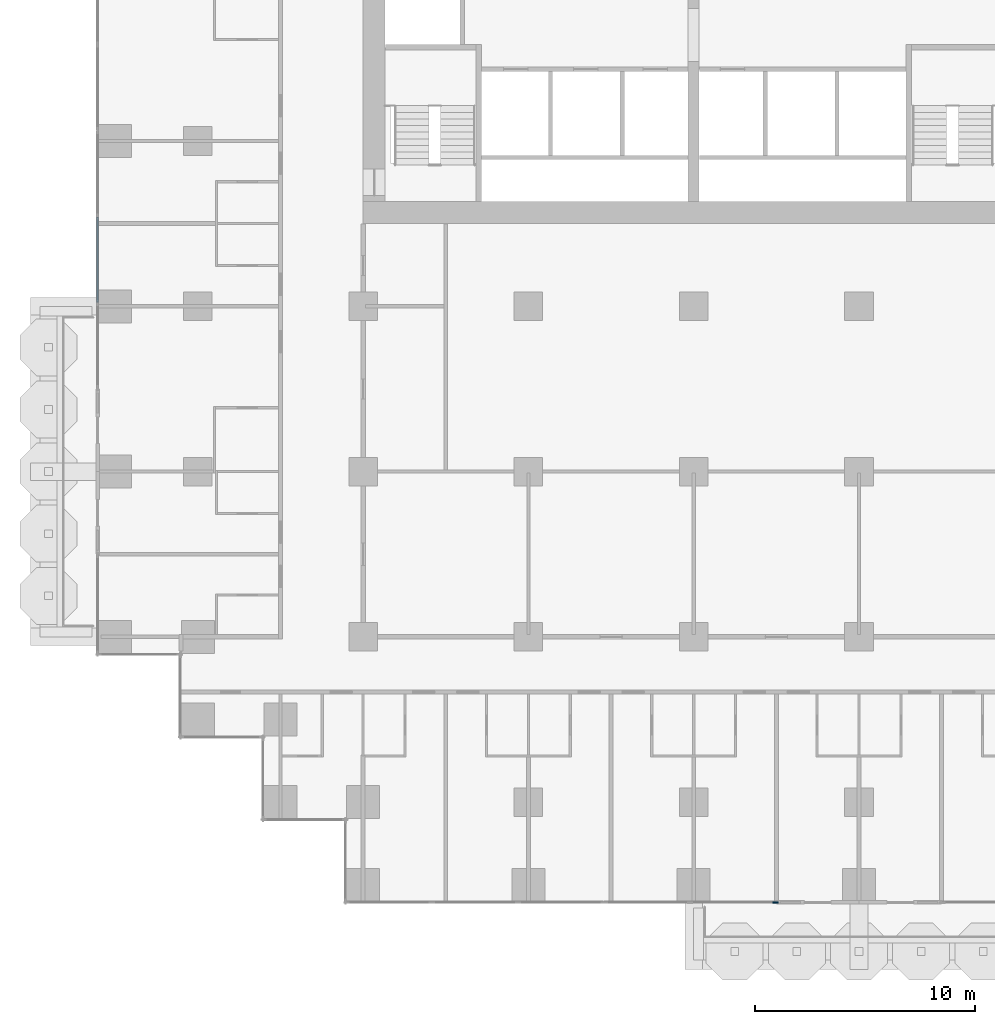
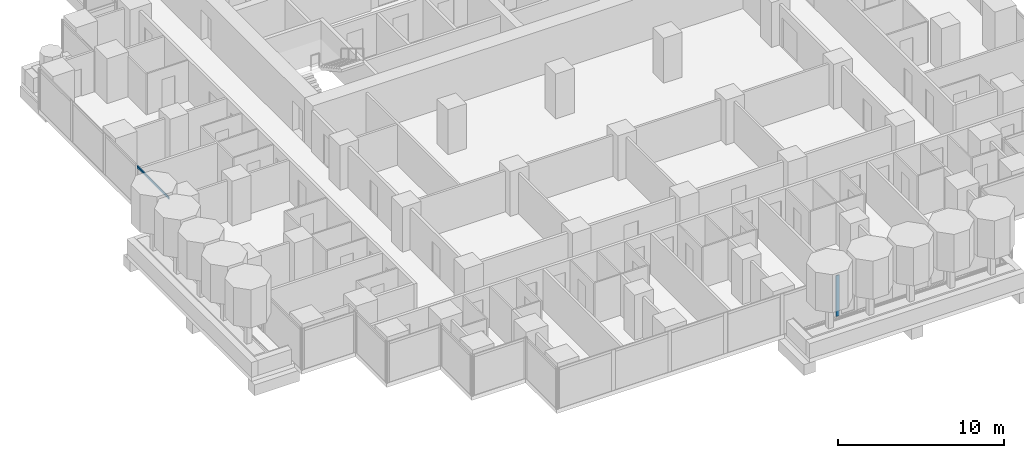
# One storey, part 3 of 19: 2 members, 2 elements without a shape of their own.
"""IFC4 building model written with IfcOpenShell, lengths in metres."""

from ifc_helpers import new_model, si_unit, direction, frame, origin, origin_2d, place, context, subcontext, project, spatial, rectangle, extrude, material, material_profile, profile_set, type_object, element, aggregate, save


model = new_model("IFC4")

# Units and contexts
model_context = context("Model", 3, precision=1e-05, world=origin(), true_north=direction((0.0, 1.0)))
body_context = subcontext(model_context, "Body", "Model", "MODEL_VIEW")
ifc_project = project(units=[si_unit("LENGTHUNIT", "METRE"), si_unit("AREAUNIT", "SQUARE_METRE"), si_unit("VOLUMEUNIT", "CUBIC_METRE"), si_unit("PLANEANGLEUNIT", "RADIAN"), si_unit("MASSUNIT", "GRAM", prefix="KILO")], contexts=[model_context])

# Site, building, storey
site_placement = place(None, origin())
site = spatial("IfcSite", under=ifc_project, at=site_placement, CompositionType="ELEMENT")
building_placement = place(site_placement, origin())
building = spatial("IfcBuilding", under=site, at=building_placement, Name="Pilkhan Gate Tower", CompositionType="ELEMENT")
storey_placement = place(building_placement, frame((0.0, 0.0, 65.89990234375)))
storey = spatial("IfcBuildingStorey", under=building, at=storey_placement, Name="L14", CompositionType="ELEMENT", Elevation=65.89990234375)

# Curtain wall, member
ifc_material_1 = material(Name="Pale anodised aluminium, clear low-iron double glazing", Category="aluminium")
curtain_wall_type = type_object("IfcCurtainWallType", Name="Hotel unitised curtain wall CW-H", PredefinedType="USERDEFINED", material=ifc_material_1)
curtain_wall_1_placement = place(storey_placement, origin())
curtain_wall_1 = element("IfcCurtainWall", 1, at=curtain_wall_1_placement, inside=storey, type_object=curtain_wall_type, Name="Hotel unitised curtain wall CW-H L14 S", ObjectType="UNITISED CURTAIN WALL", PredefinedType="USERDEFINED")
ifc_material_2 = material(Name="Pale anodised aluminium", Category="aluminium")
ifc_material_profile_1 = material_profile(ifc_material_2, rectangle(XDim=0.06494140625, YDim=0.25, at=origin_2d()), Name="Mullion 250x65")
ifc_profile_set_1 = profile_set([ifc_material_profile_1], Name="Pale anodised aluminium")
member_type_1 = type_object("IfcMemberType", Name="Mullion CW-H 250x65", PredefinedType="MULLION", material=ifc_profile_set_1)
member_1_placement = place(storey_placement, frame((78.717529296875, 40.455078125, 0.0), z_axis=(0.0, 0.0, 1.0), x_axis=(0.0, 1.0, 0.0)))
member_1 = element("IfcMember", 2, at=member_1_placement, type_object=member_type_1, Name="CW-H mullion 3", PredefinedType="MULLION", context=body_context, shape_type="SweptSolid", body=[
    extrude(rectangle(XDim=0.06494140625, YDim=0.25, at=origin_2d()), origin(), (0.0, 0.0, 1.0), 3.0),
])
aggregate(curtain_wall_1, [member_1])

curtain_wall_2_placement = place(storey_placement, origin())
curtain_wall_2 = element("IfcCurtainWall", 3, at=curtain_wall_2_placement, inside=storey, type_object=curtain_wall_type, Name="Hotel unitised curtain wall CW-H L14 W", ObjectType="UNITISED CURTAIN WALL", PredefinedType="USERDEFINED")
ifc_material_profile_2 = material_profile(ifc_material_2, rectangle(XDim=0.06494140625, YDim=0.179931640625, at=origin_2d()), Name="Transom 180x65")
ifc_profile_set_2 = profile_set([ifc_material_profile_2], Name="Pale anodised aluminium")
member_type_2 = type_object("IfcMemberType", Name="Transom CW-H 180x65", PredefinedType="USERDEFINED", material=ifc_profile_set_2)
member_2_placement = place(storey_placement, frame((47.955078125, 67.69140625, 2.91015625), z_axis=(0.0, 1.0, 0.0), x_axis=(-1.0, 0.0, 0.0)))
member_2 = element("IfcMember", 4, at=member_2_placement, type_object=member_type_2, Name="CW-H transom 2", ObjectType="TRANSOM", PredefinedType="USERDEFINED", context=body_context, shape_type="SweptSolid", body=[
    extrude(rectangle(XDim=0.06494140625, YDim=0.179931640625, at=origin_2d()), origin(), (0.0, 0.0, 1.0), 3.843994140625),
])
aggregate(curtain_wall_2, [member_2])

save(model, "model.ifc")
